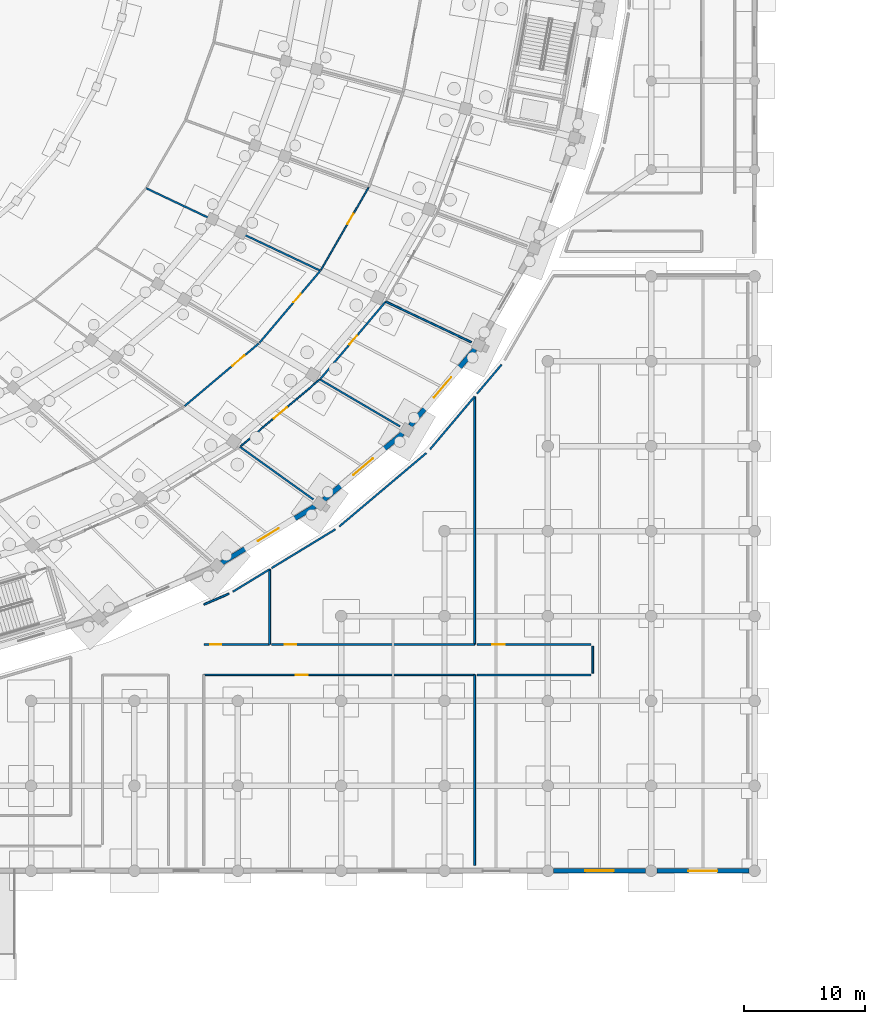
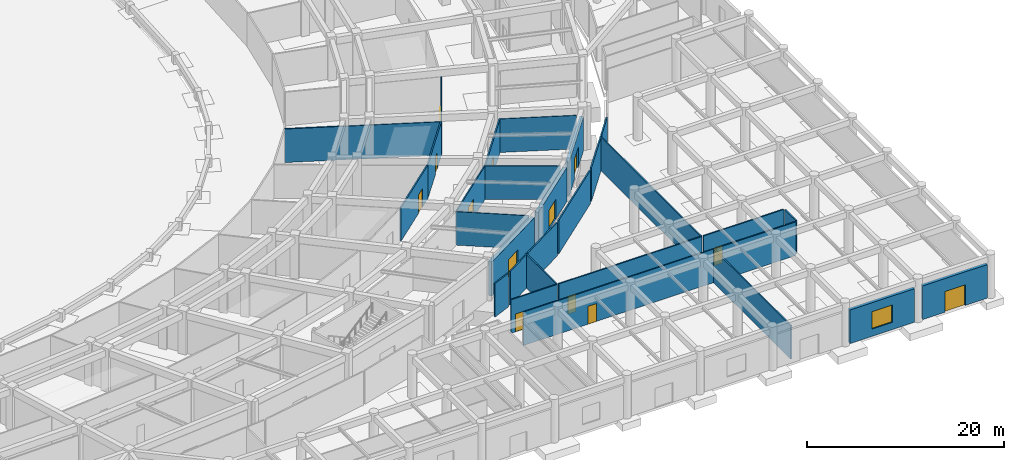
# One storey, part 51 of 88: 29 walls, 13 doors, 1 window, 14 openings.
"""IFC4 building model written with IfcOpenShell, lengths in metres."""

import ifcopenshell
import ifcopenshell.guid

model = None  # the IFC model being written
_history = None  # IfcOwnerHistory: only IFC2X3 demands one
_inside = {}  # id of a spatial element -> (the spatial element, [elements in it])
_under = {}  # id of a project, library or spatial element -> (it, [spatial elements below it])
_declared = {}  # id of a project -> (the project, [libraries it declares])
_typed = {}  # id of a type object -> (the type object, [elements of that type])
_made_of = {}  # id of a material, layer set ... -> (it, [elements and type objects made of it])


def new_model(schema):
    """Start an empty IFC model of exactly this schema.

    Asked for "IFC4X3", IfcOpenShell would pick the latest addendum, in which some entities
    have other attributes; the version numbers below select the first issue.
    IFC2X3 requires an IfcOwnerHistory on every rooted entity: one is made here for all.
    """
    global model, _history
    if schema == "IFC4X3":
        model = ifcopenshell.file(schema_version=(4, 3, 0, 0))
    else:
        model = ifcopenshell.file(schema=schema)
    _inside.clear()
    _under.clear()
    _declared.clear()
    _typed.clear()
    _made_of.clear()
    _history = None
    if model.schema == "IFC2X3":
        org = make("IfcOrganization", Name="unknown")
        user = make(
            "IfcPersonAndOrganization",
            ThePerson=make("IfcPerson", FamilyName="unknown"),
            TheOrganization=org,
        )
        app = make(
            "IfcApplication",
            ApplicationDeveloper=org,
            Version="unknown",
            ApplicationFullName="unknown",
            ApplicationIdentifier="unknown",
        )
        _history = make(
            "IfcOwnerHistory",
            OwningUser=user,
            OwningApplication=app,
            ChangeAction="ADDED",
            CreationDate=0,
        )
    return model


def make(cls, **values):
    """One entity of the class cls with the attributes given. An attribute that is None is left unset."""
    return model.create_entity(
        cls, **{name: value for name, value in values.items() if value is not None}
    )


def rooted(cls, **values):
    """An entity with a GlobalId (a new one), such as an element, a storey or a relation."""
    return make(cls, GlobalId=ifcopenshell.guid.new(), OwnerHistory=_history, **values)


def si_unit(unit_type, name, prefix=None):
    """IfcSIUnit, for example si_unit("LENGTHUNIT", "METRE", prefix="MILLI")."""
    return make("IfcSIUnit", UnitType=unit_type, Prefix=prefix, Name=name)


def assignment(units):
    """IfcUnitAssignment: the units of a project."""
    return None if units is None else make("IfcUnitAssignment", Units=units)


def point(xyz):
    """IfcCartesianPoint."""
    return None if xyz is None else make("IfcCartesianPoint", Coordinates=xyz)


def direction(xyz):
    """IfcDirection."""
    return None if xyz is None else make("IfcDirection", DirectionRatios=xyz)


def frame(location, z_axis=None, x_axis=None):
    """IfcAxis2Placement3D, a coordinate frame: its origin and axes. An axis left out is left unset."""
    return make(
        "IfcAxis2Placement3D",
        Location=point(location),
        Axis=direction(z_axis),
        RefDirection=direction(x_axis),
    )


def frame_2d(location, x_axis=None):
    """IfcAxis2Placement2D, a coordinate frame in the plane: its origin and x axis."""
    return make(
        "IfcAxis2Placement2D", Location=point(location), RefDirection=direction(x_axis)
    )


def origin():
    """The frame at (0, 0, 0) with its axes left unset."""
    return frame((0.0, 0.0, 0.0))


def place(relative_to, where):
    """IfcLocalPlacement: puts the frame where relative to a parent placement (None: the world)."""
    return make(
        "IfcLocalPlacement", PlacementRelTo=relative_to, RelativePlacement=where
    )


def context(
    kind, dimensions, precision=None, world=None, true_north=None, identifier=None
):
    """IfcGeometricRepresentationContext, for example the 3D "Model" context."""
    return make(
        "IfcGeometricRepresentationContext",
        ContextIdentifier=identifier,
        ContextType=kind,
        CoordinateSpaceDimension=dimensions,
        Precision=precision,
        WorldCoordinateSystem=world,
        TrueNorth=true_north,
    )


def subcontext(parent, identifier, kind, view, scale=None):
    """IfcGeometricRepresentationSubContext, for example "Body" below "Model"."""
    return make(
        "IfcGeometricRepresentationSubContext",
        ContextIdentifier=identifier,
        ContextType=kind,
        ParentContext=parent,
        TargetScale=scale,
        TargetView=view,
    )


def project(units=None, contexts=None):
    """IfcProject with its units and contexts."""
    return rooted(
        "IfcProject",
        Name="project",
        RepresentationContexts=contexts,
        UnitsInContext=assignment(units),
    )


def spatial(cls, under=None, at=None, **own):
    """A site, building, storey or space (cls), placed at a placement, below another one or the project."""
    s = rooted(cls, ObjectPlacement=at, **own)
    if under is not None:
        _under.setdefault(under.id(), (under, []))[1].append(s)
    return s


def profile(cls, at=None, kind="AREA", **sizes):
    """A parametric profile (cls). Its sizes go by their IFC names, for example OverallWidth=200.0."""
    return make(cls, ProfileType=kind, Position=at, **sizes)


def rectangle(**sizes):
    """IfcRectangleProfileDef."""
    return profile("IfcRectangleProfileDef", **sizes)


def extrude(swept, where, along, depth):
    """IfcExtrudedAreaSolid: the profile swept, set in the frame where, extruded along a direction by depth."""
    return make(
        "IfcExtrudedAreaSolid",
        SweptArea=swept,
        Position=where,
        ExtrudedDirection=direction(along),
        Depth=depth,
    )


def shape(context_of_items, identifier, shape_type, items):
    """IfcShapeRepresentation: the items that make up one representation, for example the "Body"."""
    return make(
        "IfcShapeRepresentation",
        ContextOfItems=context_of_items,
        RepresentationIdentifier=identifier,
        RepresentationType=shape_type,
        Items=items,
    )


def material(Name=None, Category=None):
    """IfcMaterial."""
    return make("IfcMaterial", Name=Name, Category=Category)


def layer(
    of_material, thickness, ventilated=None, Name=None, Category=None, Priority=None
):
    """IfcMaterialLayer: one layer of a wall or slab, of a material (None: an air gap)."""
    return make(
        "IfcMaterialLayer",
        Material=of_material,
        LayerThickness=thickness,
        IsVentilated=ventilated,
        Name=Name,
        Category=Category,
        Priority=Priority,
    )


def layer_set(layers, Name=None):
    """IfcMaterialLayerSet."""
    return make("IfcMaterialLayerSet", MaterialLayers=layers, LayerSetName=Name)


def made_of(thing, what):
    """Note that an element or type object is made of a material, layer set ...; save() writes the relation."""
    if what is not None:
        _made_of.setdefault(what.id(), (what, []))[1].append(thing)
    return thing


def type_object(cls, material=None, **own):
    """A type object (cls), such as IfcWallType, which elements share."""
    return made_of(rooted(cls, **own), material)


def element(
    cls,
    number,
    at=None,
    inside=None,
    cuts=None,
    type_object=None,
    material=None,
    context=None,
    identifier="Body",
    shape_type=None,
    held_by="IfcProductDefinitionShape",
    body=None,
    shapes=None,
    **own,
):
    """One element of the class cls, such as IfcWall. Its Tag is "e" and its number.

    at: its placement. inside: the storey or other place that contains it. cuts: it is an
    opening in that element (IfcRelVoidsElement). A single representation is given by context,
    identifier, shape_type and body (its items); several are given by shapes. held_by: the class
    of the entity that holds the representations. save() writes the other relations.
    """
    e = rooted(cls, Tag="e%d" % number, ObjectPlacement=at, **own)
    if body is not None:
        shapes = [shape(context, identifier, shape_type, body)]
    if shapes is not None:
        e.Representation = make(held_by, Representations=shapes)
    if inside is not None:
        _inside.setdefault(inside.id(), (inside, []))[1].append(e)
    if cuts is not None:
        rooted(
            "IfcRelVoidsElement", RelatingBuildingElement=cuts, RelatedOpeningElement=e
        )
    if type_object is not None:
        _typed.setdefault(type_object.id(), (type_object, []))[1].append(e)
    return made_of(e, material)


def fill(opening, filler):
    """IfcRelFillsElement: the door or window that sits in an opening."""
    return rooted(
        "IfcRelFillsElement",
        RelatingOpeningElement=opening,
        RelatedBuildingElement=filler,
    )


def aggregate(whole, parts):
    """IfcRelAggregates: a whole, such as a stair, and the parts it consists of."""
    return rooted("IfcRelAggregates", RelatingObject=whole, RelatedObjects=parts)


def save(model, path):
    """Write the relations noted so far, then the file.

    IfcRelAggregates (storeys below a building ...), IfcRelContainedInSpatialStructure (elements
    in a storey), IfcRelDefinesByType, IfcRelAssociatesMaterial and IfcRelDeclares: one each for
    every whole, place, type object, material and project.
    """
    for whole, parts in _under.values():
        aggregate(whole, parts)
    for where, things in _inside.values():
        rooted(
            "IfcRelContainedInSpatialStructure",
            RelatedElements=things,
            RelatingStructure=where,
        )
    for kind, things in _typed.values():
        rooted("IfcRelDefinesByType", RelatedObjects=things, RelatingType=kind)
    for what, things in _made_of.values():
        rooted("IfcRelAssociatesMaterial", RelatedObjects=things, RelatingMaterial=what)
    for by, libraries in _declared.values():
        rooted("IfcRelDeclares", RelatingContext=by, RelatedDefinitions=libraries)
    model.write(path)


model = new_model("IFC4")

# Units and contexts
model_context = context("Model", 3, precision=1e-05, world=origin(), true_north=direction((0.0, 1.0)))
body_context = subcontext(model_context, "Body", "Model", "MODEL_VIEW")
ifc_project = project(units=[si_unit("LENGTHUNIT", "METRE"), si_unit("AREAUNIT", "SQUARE_METRE"), si_unit("VOLUMEUNIT", "CUBIC_METRE"), si_unit("PLANEANGLEUNIT", "RADIAN"), si_unit("MASSUNIT", "GRAM", prefix="KILO")], contexts=[model_context])

# Site, building, storey
site_placement = place(None, origin())
site = spatial("IfcSite", under=ifc_project, at=site_placement, CompositionType="ELEMENT")
building_placement = place(site_placement, origin())
building = spatial("IfcBuilding", under=site, at=building_placement, Name="Mphavela Belvedere Stadium", CompositionType="ELEMENT")
storey_placement = place(building_placement, origin())
storey = spatial("IfcBuildingStorey", under=building, at=storey_placement, Name="L00", CompositionType="ELEMENT", Elevation=0.0)

# Wall, opening, window
ifc_material_1 = material(Name="Honed ashlar limestone masonry", Category="masonry")
ifc_layer_1 = layer(ifc_material_1, 0.35009765625)
ifc_layer_set_1 = layer_set([ifc_layer_1], Name="Honed ashlar limestone masonry")
wall_type_1 = type_object("IfcWallType", Name="WAL-EXT-ASHLAR-350", PredefinedType="STANDARD", material=ifc_layer_set_1)
wall_1_placement = place(storey_placement, frame((221.008056640625, 0.0, 0.0), z_axis=(0.0, 0.0, 1.0), x_axis=(-1.0, 0.0, 0.0)))
wall_1 = element("IfcWall", 1, at=wall_1_placement, inside=storey, type_object=wall_type_1, Name="South Axial Triumphal Peristyle Portico outer facade bay L00-26", PredefinedType="STANDARD", context=body_context, shape_type="SweptSolid", body=[
    extrude(rectangle(XDim=7.572021484375, YDim=0.35009765625, at=frame_2d((3.7861328125, 0.0))), origin(), (0.0, 0.0, 1.0), 4.159912109375),
])
opening_1_placement = place(wall_1_placement, frame((2.60595703125, 0.0, 0.89990234375)))
opening_1 = element("IfcOpeningElement", 2, at=opening_1_placement, cuts=wall_1, Name="Opening W-043", PredefinedType="OPENING", context=body_context, shape_type="SweptSolid", body=[
    extrude(rectangle(XDim=2.360107421875, YDim=2.14990234375, at=frame_2d((1.18017578125, 1.074951171875))), frame((0.0, 0.18505859375, 0.0), z_axis=(0.0, -1.0, 0.0), x_axis=(1.0, 0.0, 0.0)), (0.0, 0.0, 1.0), 0.3701171875),
])
ifc_material_2 = material(Name="Bronze-anodised thermally broken aluminium window", Category="aluminium")
window_type = type_object("IfcWindowType", Name="WIN-EXT-43", PartitioningType="SINGLE_PANEL", PredefinedType="WINDOW", material=ifc_material_2)
window_placement = place(opening_1_placement, origin())
window = element("IfcWindow", 3, at=window_placement, inside=storey, type_object=window_type, Name="South Axial Triumphal Peristyle Portico classical window W-043", OverallHeight=2.14990234375, OverallWidth=2.360107421875, PartitioningType="SINGLE_PANEL", PredefinedType="WINDOW", context=body_context, shape_type="SweptSolid", body=[
    extrude(rectangle(XDim=2.360107421875, YDim=2.14990234375, at=frame_2d((1.18017578125, 1.074951171875))), frame((0.0, 0.030029296875, 0.0), z_axis=(0.0, -1.0, 0.0), x_axis=(1.0, 0.0, 0.0)), (0.0, 0.0, 1.0), 0.06005859375),
])
fill(opening_1, window)

# Wall, opening, door
wall_2_placement = place(storey_placement, frame((229.527099609375, 0.0, 0.0), z_axis=(0.0, 0.0, 1.0), x_axis=(-1.0, 0.0, 0.0)))
wall_2 = element("IfcWall", 4, at=wall_2_placement, inside=storey, type_object=wall_type_1, Name="South Axial Triumphal Peristyle Portico outer facade bay L00-27", PredefinedType="STANDARD", context=body_context, shape_type="SweptSolid", body=[
    extrude(rectangle(XDim=7.572998046875, YDim=0.35009765625, at=frame_2d((3.78662109375, 0.0))), origin(), (0.0, 0.0, 1.0), 4.159912109375),
])
opening_2_placement = place(wall_2_placement, frame((2.58642578125, 0.0, 0.0)))
opening_2 = element("IfcOpeningElement", 5, at=opening_2_placement, cuts=wall_2, Name="Opening ED-038", PredefinedType="OPENING", context=body_context, shape_type="SweptSolid", body=[
    extrude(rectangle(XDim=2.39990234375, YDim=2.550048828125, at=frame_2d((1.199951171875, 1.27490234375))), frame((0.0, 0.18505859375, 0.0), z_axis=(0.0, -1.0, 0.0), x_axis=(1.0, 0.0, 0.0)), (0.0, 0.0, 1.0), 0.3701171875),
])
ifc_material_3 = material(Name="Glazed bronze-anodised steel exit doorset", Category="steel")
door_type_1 = type_object("IfcDoorType", Name="DR-EXT-06", OperationType="NOTDEFINED", PredefinedType="DOOR", material=ifc_material_3)
door_1_placement = place(opening_2_placement, origin())
door_1 = element("IfcDoor", 6, at=door_1_placement, inside=storey, type_object=door_type_1, Name="South Axial Triumphal Peristyle Portico ceremonial exit doorset ED-038", OperationType="DOUBLE_DOOR_SINGLE_SWING", OverallHeight=2.550048828125, OverallWidth=2.39990234375, PredefinedType="DOOR", context=body_context, shape_type="SweptSolid", body=[
    extrude(rectangle(XDim=2.39990234375, YDim=2.550048828125, at=frame_2d((1.199951171875, 1.27490234375))), frame((0.0, 0.02490234375, 0.0), z_axis=(0.0, -1.0, 0.0), x_axis=(1.0, 0.0, 0.0)), (0.0, 0.0, 1.0), 0.050048828125),
])
fill(opening_2, door_1)

ifc_material_4 = material(Name="Rusticated ashlar limestone masonry", Category="masonry")
ifc_layer_2 = layer(ifc_material_4, 0.39990234375)
ifc_layer_set_2 = layer_set([ifc_layer_2], Name="Rusticated ashlar limestone masonry")
wall_type_2 = type_object("IfcWallType", Name="WAL-EXT-ASHLAR-400", PredefinedType="STANDARD", material=ifc_layer_set_2)
wall_3_placement = place(storey_placement, frame((193.77294921875, 30.052734375, 0.0), z_axis=(0.0, 0.0, 1.0), x_axis=(-0.854319454423, -0.519748275413, 0.0)))
wall_3 = element("IfcWall", 7, at=wall_3_placement, inside=storey, type_object=wall_type_2, Name="Ground plinth rusticated ashlar wall 42", PredefinedType="STANDARD", context=body_context, shape_type="SweptSolid", body=[
    extrude(rectangle(XDim=9.006103515625, YDim=0.39990234375, at=frame_2d((4.5029296875, 0.0))), origin(), (0.0, 0.0, 1.0), 4.25),
])
opening_3_placement = place(wall_3_placement, frame((3.5029296875, 0.0, 0.0)))
opening_3 = element("IfcOpeningElement", 8, at=opening_3_placement, cuts=wall_3, Name="Opening ED-019", PredefinedType="OPENING", context=body_context, shape_type="SweptSolid", body=[
    extrude(rectangle(XDim=2.0, YDim=2.39990234375, at=frame_2d((1.0, 1.199951171875))), frame((0.0, 0.2099609375, 0.0), z_axis=(0.0, -1.0, 0.0), x_axis=(1.0, 0.0, 0.0)), (0.0, 0.0, 1.0), 0.419921875),
])
ifc_material_5 = material(Name="Glazed bronze-anodised steel exit doorset", Category="steel")
door_type_2 = type_object("IfcDoorType", Name="DR-EXT-03", OperationType="NOTDEFINED", PredefinedType="DOOR", material=ifc_material_5)
door_2_placement = place(opening_3_placement, origin())
door_2 = element("IfcDoor", 9, at=door_2_placement, inside=storey, type_object=door_type_2, Name="Spectator final exit doorset ED-019", OperationType="DOUBLE_DOOR_SINGLE_SWING", OverallHeight=2.39990234375, OverallWidth=2.0, PredefinedType="DOOR", context=body_context, shape_type="SweptSolid", body=[
    extrude(rectangle(XDim=2.0, YDim=2.39990234375, at=frame_2d((1.0, 1.199951171875))), frame((0.0, 0.02490234375, 0.0), z_axis=(0.0, -1.0, 0.0), x_axis=(1.0, 0.0, 0.0)), (0.0, 0.0, 1.0), 0.050048828125),
])
fill(opening_3, door_2)

wall_4_placement = place(storey_placement, frame((200.995849609375, 36.0576171875, 0.0), z_axis=(0.0, 0.0, 1.0), x_axis=(-0.764254773348, -0.644914445035, 0.0)))
wall_4 = element("IfcWall", 10, at=wall_4_placement, inside=storey, type_object=wall_type_2, Name="Ground plinth rusticated ashlar wall 43", PredefinedType="STANDARD", context=body_context, shape_type="SweptSolid", body=[
    extrude(rectangle(XDim=8.502197265625, YDim=0.39990234375, at=frame_2d((4.2509765625, 0.0))), origin(), (0.0, 0.0, 1.0), 4.25),
])
opening_4_placement = place(wall_4_placement, frame((3.201171875, 0.0, 0.0)))
opening_4 = element("IfcOpeningElement", 11, at=opening_4_placement, cuts=wall_4, Name="Opening ED-020", PredefinedType="OPENING", context=body_context, shape_type="SweptSolid", body=[
    extrude(rectangle(XDim=2.10009765625, YDim=2.449951171875, at=frame_2d((1.050048828125, 1.22509765625))), frame((0.0, 0.2099609375, 0.0), z_axis=(0.0, -1.0, 0.0), x_axis=(1.0, 0.0, 0.0)), (0.0, 0.0, 1.0), 0.419921875),
])
ifc_material_6 = material(Name="Glazed bronze-anodised steel exit doorset", Category="steel")
door_type_3 = type_object("IfcDoorType", Name="DR-EXT-04", OperationType="NOTDEFINED", PredefinedType="DOOR", material=ifc_material_6)
door_3_placement = place(opening_4_placement, origin())
door_3 = element("IfcDoor", 12, at=door_3_placement, inside=storey, type_object=door_type_3, Name="Spectator final exit doorset ED-020", OperationType="DOUBLE_DOOR_SINGLE_SWING", OverallHeight=2.449951171875, OverallWidth=2.10009765625, PredefinedType="DOOR", context=body_context, shape_type="SweptSolid", body=[
    extrude(rectangle(XDim=2.10009765625, YDim=2.449951171875, at=frame_2d((1.050048828125, 1.22509765625))), frame((0.0, 0.02490234375, 0.0), z_axis=(0.0, -1.0, 0.0), x_axis=(1.0, 0.0, 0.0)), (0.0, 0.0, 1.0), 0.050048828125),
])
fill(opening_4, door_3)

wall_5_placement = place(storey_placement, frame((206.95361328125, 42.99609375, 0.0), z_axis=(0.0, 0.0, 1.0), x_axis=(-0.645194244502, -0.764018577563, 0.0)))
wall_5 = element("IfcWall", 13, at=wall_5_placement, inside=storey, type_object=wall_type_2, Name="Ground plinth rusticated ashlar wall 44", PredefinedType="STANDARD", context=body_context, shape_type="SweptSolid", body=[
    extrude(rectangle(XDim=8.255615234375, YDim=0.39990234375, at=frame_2d((4.1279296875, 0.0))), origin(), (0.0, 0.0, 1.0), 4.25),
])
opening_5_placement = place(wall_5_placement, frame((3.027587890625, 0.0, 0.0)))
opening_5 = element("IfcOpeningElement", 14, at=opening_5_placement, cuts=wall_5, Name="Opening ED-021", PredefinedType="OPENING", context=body_context, shape_type="SweptSolid", body=[
    extrude(rectangle(XDim=2.199951171875, YDim=2.5, at=frame_2d((1.10009765625, 1.25))), frame((0.0, 0.2099609375, 0.0), z_axis=(0.0, -1.0, 0.0), x_axis=(1.0, 0.0, 0.0)), (0.0, 0.0, 1.0), 0.419921875),
])
ifc_material_7 = material(Name="Glazed bronze-anodised steel exit doorset", Category="steel")
door_type_4 = type_object("IfcDoorType", Name="DR-EXT-05", OperationType="NOTDEFINED", PredefinedType="DOOR", material=ifc_material_7)
door_4_placement = place(opening_5_placement, origin())
door_4 = element("IfcDoor", 15, at=door_4_placement, inside=storey, type_object=door_type_4, Name="Spectator final exit doorset ED-021", OperationType="DOUBLE_DOOR_SINGLE_SWING", OverallHeight=2.5, OverallWidth=2.199951171875, PredefinedType="DOOR", context=body_context, shape_type="SweptSolid", body=[
    extrude(rectangle(XDim=2.199951171875, YDim=2.5, at=frame_2d((1.10009765625, 1.25))), frame((0.0, 0.02490234375, 0.0), z_axis=(0.0, -1.0, 0.0), x_axis=(1.0, 0.0, 0.0)), (0.0, 0.0, 1.0), 0.050048828125),
])
fill(opening_5, door_4)

ifc_material_8 = material(Name="Moisture-resistant sanitary partition assembly")
ifc_layer_3 = layer(ifc_material_8, 0.125)
ifc_layer_set_3 = layer_set([ifc_layer_3], Name="Moisture-resistant sanitary partition assembly")
wall_type_3 = type_object("IfcWallType", Name="WAL-PART-125", PredefinedType="PARTITIONING", material=ifc_layer_set_3)
wall_6_placement = place(storey_placement, frame((187.649169921875, 34.996337890625, 0.0), z_axis=(0.0, 0.0, 1.0), x_axis=(0.764257572309, 0.644911128117, 0.0)))
wall_6 = element("IfcWall", 16, at=wall_6_placement, inside=storey, type_object=wall_type_3, Name="Room L00-147 corridor partition", PredefinedType="PARTITIONING", context=body_context, shape_type="SweptSolid", body=[
    extrude(rectangle(XDim=8.53857421875, YDim=0.125, at=frame_2d((4.269287109375, 0.0))), origin(), (0.0, 0.0, 1.0), 4.14990234375),
])
opening_6_placement = place(wall_6_placement, frame((3.569091796875, 0.0, 0.0)))
opening_6 = element("IfcOpeningElement", 17, at=opening_6_placement, cuts=wall_6, Name="Opening ID-072", PredefinedType="OPENING", context=body_context, shape_type="SweptSolid", body=[
    extrude(rectangle(XDim=1.39990234375, YDim=2.300048828125, at=frame_2d((0.699951171875, 1.14990234375))), frame((0.0, 0.072509765625, 0.0), z_axis=(0.0, -1.0, 0.0), x_axis=(1.0, 0.0, 0.0)), (0.0, 0.0, 1.0), 0.14501953125),
])
ifc_material_9 = material(Name="Hardwood acoustic timber doorset", Category="wood")
door_type_5 = type_object("IfcDoorType", Name="DR-INT-36", OperationType="NOTDEFINED", PredefinedType="DOOR", material=ifc_material_9)
door_5_placement = place(opening_6_placement, origin())
door_5 = element("IfcDoor", 18, at=door_5_placement, inside=storey, type_object=door_type_5, Name="Room L00-147 entrance door ID-072", OperationType="SINGLE_SWING_RIGHT", OverallHeight=2.300048828125, OverallWidth=1.39990234375, PredefinedType="DOOR", context=body_context, shape_type="SweptSolid", body=[
    extrude(rectangle(XDim=1.39990234375, YDim=2.300048828125, at=frame_2d((0.699951171875, 1.14990234375))), frame((0.0, 0.02490234375, 0.0), z_axis=(0.0, -1.0, 0.0), x_axis=(1.0, 0.0, 0.0)), (0.0, 0.0, 1.0), 0.050048828125),
])
fill(opening_6, door_5)

wall_7_placement = place(storey_placement, frame((198.18310546875, 56.312255859375, 0.0), z_axis=(0.0, 0.0, 1.0), x_axis=(-0.500584301803, -0.865687794063, 0.0)))
wall_7 = element("IfcWall", 19, at=wall_7_placement, inside=storey, type_object=wall_type_3, Name="Room L00-152 corridor partition", PredefinedType="PARTITIONING", context=body_context, shape_type="SweptSolid", body=[
    extrude(rectangle(XDim=7.8369140625, YDim=0.125, at=frame_2d((3.91845703125, 0.0))), origin(), (0.0, 0.0, 1.0), 4.14990234375),
])
opening_7_placement = place(wall_7_placement, frame((2.49609375, 0.0, 0.0)))
opening_7 = element("IfcOpeningElement", 20, at=opening_7_placement, cuts=wall_7, Name="Opening ID-075", PredefinedType="OPENING", context=body_context, shape_type="SweptSolid", body=[
    extrude(rectangle(XDim=0.97998046875, YDim=2.10009765625, at=frame_2d((0.489990234375, 1.050048828125))), frame((0.0, 0.072509765625, 0.0), z_axis=(0.0, -1.0, 0.0), x_axis=(1.0, 0.0, 0.0)), (0.0, 0.0, 1.0), 0.14501953125),
])
ifc_material_10 = material(Name="Hardwood acoustic timber doorset", Category="wood")
door_type_6 = type_object("IfcDoorType", Name="DR-INT-03", OperationType="NOTDEFINED", PredefinedType="DOOR", material=ifc_material_10)
door_6_placement = place(opening_7_placement, origin())
door_6 = element("IfcDoor", 21, at=door_6_placement, inside=storey, type_object=door_type_6, Name="Room L00-152 entrance door ID-075", OperationType="SINGLE_SWING_LEFT", OverallHeight=2.10009765625, OverallWidth=0.97998046875, PredefinedType="DOOR", context=body_context, shape_type="SweptSolid", body=[
    extrude(rectangle(XDim=0.97998046875, YDim=2.10009765625, at=frame_2d((0.489990234375, 1.050048828125))), frame((0.0, 0.02490234375, 0.0), z_axis=(0.0, -1.0, 0.0), x_axis=(1.0, 0.0, 0.0)), (0.0, 0.0, 1.0), 0.050048828125),
])
fill(opening_7, door_6)

wall_8_placement = place(storey_placement, frame((184.610107421875, 16.139892578125, 0.0), z_axis=(0.0, 0.0, 1.0), x_axis=(1.0, 0.0, 0.0)))
wall_8 = element("IfcWall", 22, at=wall_8_placement, inside=storey, type_object=wall_type_3, Name="Room L00-173 corridor partition", PredefinedType="PARTITIONING", context=body_context, shape_type="SweptSolid", body=[
    extrude(rectangle(XDim=22.31982421875, YDim=0.125, at=frame_2d((11.159912109375, 0.0))), origin(), (0.0, 0.0, 1.0), 4.14990234375),
])
opening_8_placement = place(wall_8_placement, frame((7.56494140625, 0.0, 0.0)))
opening_8 = element("IfcOpeningElement", 23, at=opening_8_placement, cuts=wall_8, Name="Opening ID-375", PredefinedType="OPENING", context=body_context, shape_type="SweptSolid", body=[
    extrude(rectangle(XDim=0.97998046875, YDim=2.199951171875, at=frame_2d((0.489990234375, 1.10009765625))), frame((0.0, 0.072509765625, 0.0), z_axis=(0.0, -1.0, 0.0), x_axis=(1.0, 0.0, 0.0)), (0.0, 0.0, 1.0), 0.14501953125),
])
ifc_material_11 = material(Name="Hardwood acoustic timber doorset", Category="wood")
door_type_7 = type_object("IfcDoorType", Name="DR-INT-15", OperationType="NOTDEFINED", PredefinedType="DOOR", material=ifc_material_11)
door_7_placement = place(opening_8_placement, origin())
door_7 = element("IfcDoor", 24, at=door_7_placement, inside=storey, type_object=door_type_7, Name="Room L00-173 entrance door ID-375", OperationType="SINGLE_SWING_LEFT", OverallHeight=2.199951171875, OverallWidth=0.97998046875, PredefinedType="DOOR", context=body_context, shape_type="SweptSolid", body=[
    extrude(rectangle(XDim=0.97998046875, YDim=2.199951171875, at=frame_2d((0.489990234375, 1.10009765625))), frame((0.0, 0.02490234375, 0.0), z_axis=(0.0, -1.0, 0.0), x_axis=(1.0, 0.0, 0.0)), (0.0, 0.0, 1.0), 0.050048828125),
])
fill(opening_8, door_7)

ifc_material_12 = material(Name="Acoustic gypsum stud partition assembly")
ifc_layer_4 = layer(ifc_material_12, 0.14990234375)
ifc_layer_set_4 = layer_set([ifc_layer_4], Name="Acoustic gypsum stud partition assembly")
wall_type_4 = type_object("IfcWallType", Name="WAL-PART-150", PredefinedType="PARTITIONING", material=ifc_layer_set_4)
wall_9_placement = place(storey_placement, frame((189.133056640625, 43.460693359375, 0.0), z_axis=(0.0, 0.0, 1.0), x_axis=(-0.764249122867, -0.644921141068, 0.0)))
wall_9 = element("IfcWall", 25, at=wall_9_placement, inside=storey, type_object=wall_type_4, Name="Room L00-146 corridor partition", PredefinedType="PARTITIONING", context=body_context, shape_type="SweptSolid", body=[
    extrude(rectangle(XDim=7.989501953125, YDim=0.14990234375, at=frame_2d((3.99462890625, 0.0))), origin(), (0.0, 0.0, 1.0), 4.14990234375),
])
opening_9_placement = place(wall_9_placement, frame((1.52587890625, 0.0, 0.0)))
opening_9 = element("IfcOpeningElement", 26, at=opening_9_placement, cuts=wall_9, Name="Opening ID-071", PredefinedType="OPENING", context=body_context, shape_type="SweptSolid", body=[
    extrude(rectangle(XDim=1.320068359375, YDim=2.300048828125, at=frame_2d((0.66015625, 1.14990234375))), frame((0.0, 0.0849609375, 0.0), z_axis=(0.0, -1.0, 0.0), x_axis=(1.0, 0.0, 0.0)), (0.0, 0.0, 1.0), 0.169921875),
])
ifc_material_13 = material(Name="Hardwood acoustic timber doorset", Category="wood")
door_type_8 = type_object("IfcDoorType", Name="DR-INT-35", OperationType="NOTDEFINED", PredefinedType="DOOR", material=ifc_material_13)
door_8_placement = place(opening_9_placement, origin())
door_8 = element("IfcDoor", 27, at=door_8_placement, inside=storey, type_object=door_type_8, Name="Room L00-146 entrance door ID-071", OperationType="SINGLE_SWING_LEFT", OverallHeight=2.300048828125, OverallWidth=1.320068359375, PredefinedType="DOOR", context=body_context, shape_type="SweptSolid", body=[
    extrude(rectangle(XDim=1.320068359375, YDim=2.300048828125, at=frame_2d((0.66015625, 1.14990234375))), frame((0.0, 0.02490234375, 0.0), z_axis=(0.0, -1.0, 0.0), x_axis=(1.0, 0.0, 0.0)), (0.0, 0.0, 1.0), 0.050048828125),
])
fill(opening_9, door_8)

wall_10_placement = place(storey_placement, frame((194.212158203125, 49.4619140625, 0.0), z_axis=(0.0, 0.0, 1.0), x_axis=(-0.645180817826, -0.764029915847, 0.0)))
wall_10 = element("IfcWall", 28, at=wall_10_placement, inside=storey, type_object=wall_type_4, Name="Room L00-149 corridor partition", PredefinedType="PARTITIONING", context=body_context, shape_type="SweptSolid", body=[
    extrude(rectangle(XDim=7.779296875, YDim=0.14990234375, at=frame_2d((3.8896484375, 0.0))), origin(), (0.0, 0.0, 1.0), 4.14990234375),
])
opening_10_placement = place(wall_10_placement, frame((2.50390625, 0.0, 0.0)))
opening_10 = element("IfcOpeningElement", 29, at=opening_10_placement, cuts=wall_10, Name="Opening ID-073", PredefinedType="OPENING", context=body_context, shape_type="SweptSolid", body=[
    extrude(rectangle(XDim=0.89990234375, YDim=2.10009765625, at=frame_2d((0.449951171875, 1.050048828125))), frame((0.0, 0.0849609375, 0.0), z_axis=(0.0, -1.0, 0.0), x_axis=(1.0, 0.0, 0.0)), (0.0, 0.0, 1.0), 0.169921875),
])
ifc_material_14 = material(Name="Hardwood acoustic timber doorset", Category="wood")
door_type_9 = type_object("IfcDoorType", Name="DR-INT-01", OperationType="NOTDEFINED", PredefinedType="DOOR", material=ifc_material_14)
door_9_placement = place(opening_10_placement, origin())
door_9 = element("IfcDoor", 30, at=door_9_placement, inside=storey, type_object=door_type_9, Name="Room L00-149 entrance door ID-073", OperationType="SINGLE_SWING_LEFT", OverallHeight=2.10009765625, OverallWidth=0.89990234375, PredefinedType="DOOR", context=body_context, shape_type="SweptSolid", body=[
    extrude(rectangle(XDim=0.89990234375, YDim=2.10009765625, at=frame_2d((0.449951171875, 1.050048828125))), frame((0.0, 0.02490234375, 0.0), z_axis=(0.0, -1.0, 0.0), x_axis=(1.0, 0.0, 0.0)), (0.0, 0.0, 1.0), 0.050048828125),
])
fill(opening_10, door_9)

wall_11_placement = place(storey_placement, frame((194.231689453125, 40.562255859375, 0.0), z_axis=(0.0, 0.0, 1.0), x_axis=(0.64516519871, 0.76404310505, 0.0)))
wall_11 = element("IfcWall", 31, at=wall_11_placement, inside=storey, type_object=wall_type_4, Name="Room L00-150 corridor partition", PredefinedType="PARTITIONING", context=body_context, shape_type="SweptSolid", body=[
    extrude(rectangle(XDim=8.3134765625, YDim=0.14990234375, at=frame_2d((4.15673828125, 0.0))), origin(), (0.0, 0.0, 1.0), 4.14990234375),
])
opening_11_placement = place(wall_11_placement, frame((3.686767578125, 0.0, 0.0)))
opening_11 = element("IfcOpeningElement", 32, at=opening_11_placement, cuts=wall_11, Name="Opening ID-074", PredefinedType="OPENING", context=body_context, shape_type="SweptSolid", body=[
    extrude(rectangle(XDim=0.93994140625, YDim=2.10009765625, at=frame_2d((0.469970703125, 1.050048828125))), frame((0.0, 0.0849609375, 0.0), z_axis=(0.0, -1.0, 0.0), x_axis=(1.0, 0.0, 0.0)), (0.0, 0.0, 1.0), 0.169921875),
])
ifc_material_15 = material(Name="Hardwood acoustic timber doorset", Category="wood")
door_type_10 = type_object("IfcDoorType", Name="DR-INT-02", OperationType="NOTDEFINED", PredefinedType="DOOR", material=ifc_material_15)
door_10_placement = place(opening_11_placement, origin())
door_10 = element("IfcDoor", 33, at=door_10_placement, inside=storey, type_object=door_type_10, Name="Room L00-150 entrance door ID-074", OperationType="SINGLE_SWING_RIGHT", OverallHeight=2.10009765625, OverallWidth=0.93994140625, PredefinedType="DOOR", context=body_context, shape_type="SweptSolid", body=[
    extrude(rectangle(XDim=0.93994140625, YDim=2.10009765625, at=frame_2d((0.469970703125, 1.050048828125))), frame((0.0, 0.02490234375, 0.0), z_axis=(0.0, -1.0, 0.0), x_axis=(1.0, 0.0, 0.0)), (0.0, 0.0, 1.0), 0.050048828125),
])
fill(opening_11, door_10)

wall_12_placement = place(storey_placement, frame((190.030029296875, 18.659912109375, 0.0), z_axis=(0.0, 0.0, 1.0), x_axis=(-1.0, 0.0, 0.0)))
wall_12 = element("IfcWall", 34, at=wall_12_placement, inside=storey, type_object=wall_type_4, Name="Room L00-171 corridor partition", PredefinedType="PARTITIONING", context=body_context, shape_type="SweptSolid", body=[
    extrude(rectangle(XDim=5.419921875, YDim=0.14990234375, at=frame_2d((2.7099609375, 0.0))), origin(), (0.0, 0.0, 1.0), 4.14990234375),
])
opening_12_placement = place(wall_12_placement, frame((4.006103515625, 0.0, 0.0)))
opening_12 = element("IfcOpeningElement", 35, at=opening_12_placement, cuts=wall_12, Name="Opening ID-373", PredefinedType="OPENING", context=body_context, shape_type="SweptSolid", body=[
    extrude(rectangle(XDim=0.89990234375, YDim=2.199951171875, at=frame_2d((0.449951171875, 1.10009765625))), frame((0.0, 0.0849609375, 0.0), z_axis=(0.0, -1.0, 0.0), x_axis=(1.0, 0.0, 0.0)), (0.0, 0.0, 1.0), 0.169921875),
])
ifc_material_16 = material(Name="Hardwood acoustic timber doorset", Category="wood")
door_type_11 = type_object("IfcDoorType", Name="DR-INT-13", OperationType="NOTDEFINED", PredefinedType="DOOR", material=ifc_material_16)
door_11_placement = place(opening_12_placement, origin())
door_11 = element("IfcDoor", 36, at=door_11_placement, inside=storey, type_object=door_type_11, Name="Room L00-171 entrance door ID-373", OperationType="SINGLE_SWING_LEFT", OverallHeight=2.199951171875, OverallWidth=0.89990234375, PredefinedType="DOOR", context=body_context, shape_type="SweptSolid", body=[
    extrude(rectangle(XDim=0.89990234375, YDim=2.199951171875, at=frame_2d((0.449951171875, 1.10009765625))), frame((0.0, 0.02490234375, 0.0), z_axis=(0.0, -1.0, 0.0), x_axis=(1.0, 0.0, 0.0)), (0.0, 0.0, 1.0), 0.050048828125),
])
fill(opening_12, door_11)

wall_13_placement = place(storey_placement, frame((206.929931640625, 18.659912109375, 0.0), z_axis=(0.0, 0.0, 1.0), x_axis=(-1.0, 0.0, 0.0)))
wall_13 = element("IfcWall", 37, at=wall_13_placement, inside=storey, type_object=wall_type_4, Name="Room L00-172 corridor partition", PredefinedType="PARTITIONING", context=body_context, shape_type="SweptSolid", body=[
    extrude(rectangle(XDim=16.739990234375, YDim=0.14990234375, at=frame_2d((8.3701171875, 0.0))), origin(), (0.0, 0.0, 1.0), 4.14990234375),
])
opening_13_placement = place(wall_13_placement, frame((14.721923828125, 0.0, 0.0)))
opening_13 = element("IfcOpeningElement", 38, at=opening_13_placement, cuts=wall_13, Name="Opening ID-374", PredefinedType="OPENING", context=body_context, shape_type="SweptSolid", body=[
    extrude(rectangle(XDim=0.93994140625, YDim=2.199951171875, at=frame_2d((0.469970703125, 1.10009765625))), frame((0.0, 0.0849609375, 0.0), z_axis=(0.0, -1.0, 0.0), x_axis=(1.0, 0.0, 0.0)), (0.0, 0.0, 1.0), 0.169921875),
])
ifc_material_17 = material(Name="Hardwood acoustic timber doorset", Category="wood")
door_type_12 = type_object("IfcDoorType", Name="DR-INT-14", OperationType="NOTDEFINED", PredefinedType="DOOR", material=ifc_material_17)
door_12_placement = place(opening_13_placement, origin())
door_12 = element("IfcDoor", 39, at=door_12_placement, inside=storey, type_object=door_type_12, Name="Room L00-172 entrance door ID-374", OperationType="SINGLE_SWING_RIGHT", OverallHeight=2.199951171875, OverallWidth=0.93994140625, PredefinedType="DOOR", context=body_context, shape_type="SweptSolid", body=[
    extrude(rectangle(XDim=0.93994140625, YDim=2.199951171875, at=frame_2d((0.469970703125, 1.10009765625))), frame((0.0, 0.02490234375, 0.0), z_axis=(0.0, -1.0, 0.0), x_axis=(1.0, 0.0, 0.0)), (0.0, 0.0, 1.0), 0.050048828125),
])
fill(opening_13, door_12)

wall_14_placement = place(storey_placement, frame((216.53125, 18.656982421875, 0.0), z_axis=(0.0, 0.0, 1.0), x_axis=(-0.999999951445, 0.000311623544, 0.0)))
wall_14 = element("IfcWall", 40, at=wall_14_placement, inside=storey, type_object=wall_type_4, Name="Room L00-174 corridor partition", PredefinedType="PARTITIONING", context=body_context, shape_type="SweptSolid", body=[
    extrude(rectangle(XDim=9.4013671875, YDim=0.14990234375, at=frame_2d((4.70068359375, 0.0))), origin(), (0.0, 0.0, 1.0), 4.14990234375),
])
opening_14_placement = place(wall_14_placement, frame((7.13232421875, 0.0, 0.0)))
opening_14 = element("IfcOpeningElement", 41, at=opening_14_placement, cuts=wall_14, Name="Opening ID-376", PredefinedType="OPENING", context=body_context, shape_type="SweptSolid", body=[
    extrude(rectangle(XDim=1.02001953125, YDim=2.199951171875, at=frame_2d((0.510009765625, 1.10009765625))), frame((0.0, 0.0849609375, 0.0), z_axis=(0.0, -1.0, 0.0), x_axis=(1.0, 0.0, 0.0)), (0.0, 0.0, 1.0), 0.169921875),
])
ifc_material_18 = material(Name="Hardwood acoustic timber doorset", Category="wood")
door_type_13 = type_object("IfcDoorType", Name="DR-INT-16", OperationType="NOTDEFINED", PredefinedType="DOOR", material=ifc_material_18)
door_13_placement = place(opening_14_placement, origin())
door_13 = element("IfcDoor", 42, at=door_13_placement, inside=storey, type_object=door_type_13, Name="Room L00-174 entrance door ID-376", OperationType="SINGLE_SWING_RIGHT", OverallHeight=2.199951171875, OverallWidth=1.02001953125, PredefinedType="DOOR", context=body_context, shape_type="SweptSolid", body=[
    extrude(rectangle(XDim=1.02001953125, YDim=2.199951171875, at=frame_2d((0.510009765625, 1.10009765625))), frame((0.0, 0.02490234375, 0.0), z_axis=(0.0, -1.0, 0.0), x_axis=(1.0, 0.0, 0.0)), (0.0, 0.0, 1.0), 0.050048828125),
])
fill(opening_14, door_13)

# Walls
wall_15_placement = place(storey_placement, frame((187.582275390625, 34.94580078125, 0.0), z_axis=(0.0, 0.0, 1.0), x_axis=(0.812888534941, -0.582419290342, 0.0)))
element("IfcWall", 43, at=wall_15_placement, inside=storey, type_object=wall_type_4, Name="Room divider partition L00-0122", PredefinedType="PARTITIONING", context=body_context, shape_type="SweptSolid", body=[
    extrude(rectangle(XDim=7.446044921875, YDim=0.14990234375, at=frame_2d((3.72314453125, 0.0))), origin(), (0.0, 0.0, 1.0), 4.14990234375),
])
wall_16_placement = place(storey_placement, frame((194.1748046875, 40.5029296875, 0.0), z_axis=(0.0, 0.0, 1.0), x_axis=(0.862503200943, -0.506051606422, 0.0)))
element("IfcWall", 44, at=wall_16_placement, inside=storey, type_object=wall_type_4, Name="Room divider partition L00-0125", PredefinedType="PARTITIONING", context=body_context, shape_type="SweptSolid", body=[
    extrude(rectangle(XDim=7.65869140625, YDim=0.14990234375, at=frame_2d((3.829345703125, 0.0))), origin(), (0.0, 0.0, 1.0), 4.14990234375),
])
wall_17_placement = place(storey_placement, frame((179.841552734375, 56.26416015625, 0.0), z_axis=(0.0, 0.0, 1.0), x_axis=(0.903856618289, -0.427835498263, 0.0)))
element("IfcWall", 45, at=wall_17_placement, inside=storey, type_object=wall_type_4, Name="Room divider partition L00-0127", PredefinedType="PARTITIONING", context=body_context, shape_type="SweptSolid", body=[
    extrude(rectangle(XDim=15.899169921875, YDim=0.14990234375, at=frame_2d((7.94970703125, 0.0))), origin(), (0.0, 0.0, 1.0), 4.14990234375),
])
wall_18_placement = place(storey_placement, frame((199.59521484375, 46.9140625, 0.0), z_axis=(0.0, 0.0, 1.0), x_axis=(0.903857436248, -0.427833770218, 0.0)))
element("IfcWall", 46, at=wall_18_placement, inside=storey, type_object=wall_type_4, Name="Room divider partition L00-0128", PredefinedType="PARTITIONING", context=body_context, shape_type="SweptSolid", body=[
    extrude(rectangle(XDim=7.81201171875, YDim=0.14990234375, at=frame_2d((3.906005859375, 0.0))), origin(), (0.0, 0.0, 1.0), 4.14990234375),
])
wall_19_placement = place(storey_placement, frame((190.030029296875, 24.849365234375, 0.0), z_axis=(0.0, 0.0, 1.0), x_axis=(0.0, -1.0, 0.0)))
element("IfcWall", 47, at=wall_19_placement, inside=storey, type_object=wall_type_4, Name="Room divider partition L00-0667", PredefinedType="PARTITIONING", context=body_context, shape_type="SweptSolid", body=[
    extrude(rectangle(XDim=6.189453125, YDim=0.14990234375, at=frame_2d((3.0947265625, 0.0))), origin(), (0.0, 0.0, 1.0), 4.14990234375),
])
wall_20_placement = place(storey_placement, frame((184.610107421875, 21.943359375, 0.0), z_axis=(0.0, 0.0, 1.0), x_axis=(0.917454774934, 0.397840088415, 0.0)))
element("IfcWall", 48, at=wall_20_placement, inside=storey, type_object=wall_type_4, Name="Room divider partition L00-0668", PredefinedType="PARTITIONING", context=body_context, shape_type="SweptSolid", body=[
    extrude(rectangle(XDim=2.267578125, YDim=0.14990234375, at=frame_2d((1.1337890625, 0.0))), origin(), (0.0, 0.0, 1.0), 4.14990234375),
])
wall_21_placement = place(storey_placement, frame((186.99560546875, 23.00341796875, 0.0), z_axis=(0.0, 0.0, 1.0), x_axis=(0.854335242099, 0.519722324042, 0.0)))
element("IfcWall", 49, at=wall_21_placement, inside=storey, type_object=wall_type_4, Name="Room divider partition L00-0669", PredefinedType="PARTITIONING", context=body_context, shape_type="SweptSolid", body=[
    extrude(rectangle(XDim=3.5517578125, YDim=0.14990234375, at=frame_2d((1.77587890625, 0.0))), origin(), (0.0, 0.0, 1.0), 4.14990234375),
])
wall_22_placement = place(storey_placement, frame((195.767822265625, 28.374755859375, 0.0), z_axis=(0.0, 0.0, 1.0), x_axis=(0.76426547638, 0.644901761212, 0.0)))
element("IfcWall", 50, at=wall_22_placement, inside=storey, type_object=wall_type_4, Name="Room divider partition L00-0670", PredefinedType="PARTITIONING", context=body_context, shape_type="SweptSolid", body=[
    extrude(rectangle(XDim=9.3984375, YDim=0.14990234375, at=frame_2d((4.69921875, 0.0))), origin(), (0.0, 0.0, 1.0), 4.14990234375),
])
wall_23_placement = place(storey_placement, frame((203.248291015625, 34.733642578125, 0.0), z_axis=(0.0, 0.0, 1.0), x_axis=(0.645178597855, 0.764031790484, 0.0)))
element("IfcWall", 51, at=wall_23_placement, inside=storey, type_object=wall_type_4, Name="Room divider partition L00-0671", PredefinedType="PARTITIONING", context=body_context, shape_type="SweptSolid", body=[
    extrude(rectangle(XDim=5.706298828125, YDim=0.14990234375, at=frame_2d((2.85302734375, 0.0))), origin(), (0.0, 0.0, 1.0), 4.14990234375),
])
wall_24_placement = place(storey_placement, frame((206.929931640625, 39.093505859375, 0.0), z_axis=(0.0, 0.0, 1.0), x_axis=(0.0, -1.0, 0.0)))
element("IfcWall", 52, at=wall_24_placement, inside=storey, type_object=wall_type_4, Name="Room divider partition L00-0672", PredefinedType="PARTITIONING", context=body_context, shape_type="SweptSolid", body=[
    extrude(rectangle(XDim=20.43359375, YDim=0.14990234375, at=frame_2d((10.216796875, 0.0))), origin(), (0.0, 0.0, 1.0), 4.14990234375),
])
wall_25_placement = place(storey_placement, frame((190.18994140625, 24.94677734375, 0.0), z_axis=(0.0, 0.0, 1.0), x_axis=(0.854341575167, 0.519711913411, 0.0)))
element("IfcWall", 53, at=wall_25_placement, inside=storey, type_object=wall_type_4, Name="Room divider partition L00-0673", PredefinedType="PARTITIONING", context=body_context, shape_type="SweptSolid", body=[
    extrude(rectangle(XDim=6.162841796875, YDim=0.14990234375, at=frame_2d((3.08154296875, 0.0))), origin(), (0.0, 0.0, 1.0), 4.14990234375),
])
wall_26_placement = place(storey_placement, frame((206.929931640625, 16.139892578125, 0.0), z_axis=(0.0, 0.0, 1.0), x_axis=(0.0, -1.0, 0.0)))
element("IfcWall", 54, at=wall_26_placement, inside=storey, type_object=wall_type_4, Name="Room divider partition L00-0675", PredefinedType="PARTITIONING", context=body_context, shape_type="SweptSolid", body=[
    extrude(rectangle(XDim=15.68994140625, YDim=0.14990234375, at=frame_2d((7.844970703125, 0.0))), origin(), (0.0, 0.0, 1.0), 4.14990234375),
])
wall_27_placement = place(storey_placement, frame((207.1298828125, 16.139892578125, 0.0), z_axis=(0.0, 0.0, 1.0), x_axis=(1.0, 0.0, 0.0)))
element("IfcWall", 55, at=wall_27_placement, inside=storey, type_object=wall_type_4, Name="Room divider partition L00-0679", PredefinedType="PARTITIONING", context=body_context, shape_type="SweptSolid", body=[
    extrude(rectangle(XDim=9.3701171875, YDim=0.14990234375, at=frame_2d((4.68505859375, 0.0))), origin(), (0.0, 0.0, 1.0), 4.14990234375),
])
wall_28_placement = place(storey_placement, frame((216.659912109375, 16.300048828125, 0.0), z_axis=(0.0, 0.0, 1.0), x_axis=(-0.000330578494, 0.999999945359, 0.0)))
element("IfcWall", 56, at=wall_28_placement, inside=storey, type_object=wall_type_4, Name="Room divider partition L00-0680", PredefinedType="PARTITIONING", context=body_context, shape_type="SweptSolid", body=[
    extrude(rectangle(XDim=2.215576171875, YDim=0.14990234375, at=frame_2d((1.10791015625, 0.0))), origin(), (0.0, 0.0, 1.0), 4.14990234375),
])
wall_29_placement = place(storey_placement, frame((207.1298828125, 39.330322265625, 0.0), z_axis=(0.0, 0.0, 1.0), x_axis=(0.64518788911, 0.764023944485, 0.0)))
element("IfcWall", 57, at=wall_29_placement, inside=storey, type_object=wall_type_4, Name="Room divider partition L00-0681", PredefinedType="PARTITIONING", context=body_context, shape_type="SweptSolid", body=[
    extrude(rectangle(XDim=3.135009765625, YDim=0.14990234375, at=frame_2d((1.5673828125, 0.0))), origin(), (0.0, 0.0, 1.0), 4.14990234375),
])

save(model, "model.ifc")
